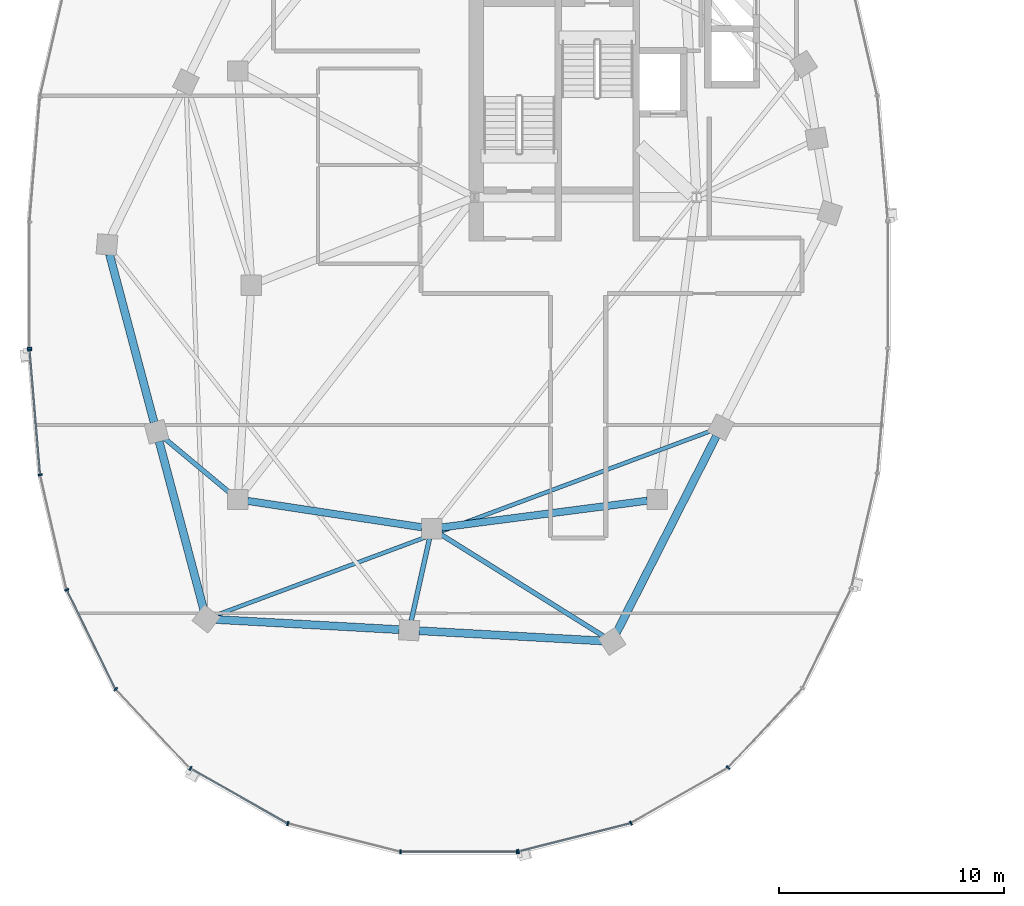
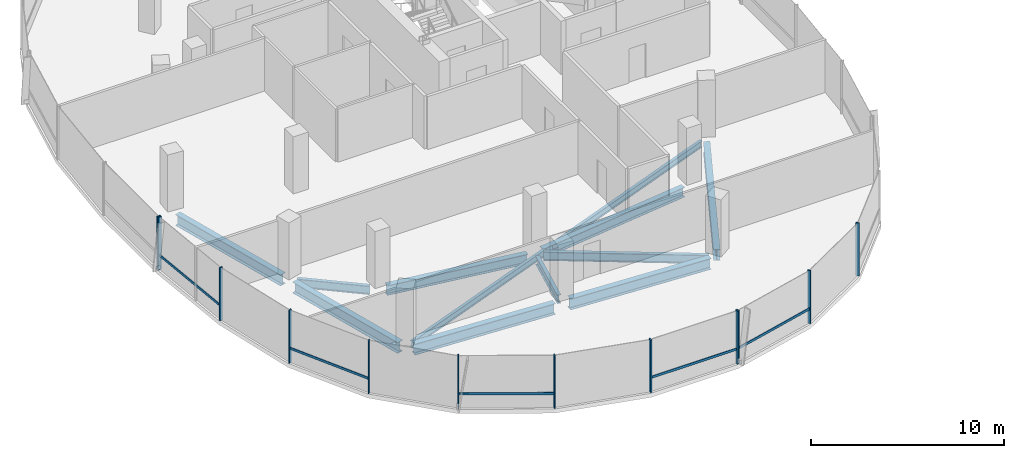
# One storey, part 3 of 25: 17 members, 11 beams, 3 elements without a shape of their own.
"""IFC4 building model written with IfcOpenShell, lengths in metres."""

from ifc_helpers import new_model, si_unit, direction, frame, origin, origin_2d, place, context, subcontext, project, spatial, rectangle, i_section, extrude, material, material_profile, profile_set, type_object, element, aggregate, save


model = new_model("IFC4")

# Units and contexts
model_context = context("Model", 3, precision=1e-05, world=origin(), true_north=direction((0.0, 1.0)))
body_context = subcontext(model_context, "Body", "Model", "MODEL_VIEW")
ifc_project = project(units=[si_unit("LENGTHUNIT", "METRE"), si_unit("AREAUNIT", "SQUARE_METRE"), si_unit("VOLUMEUNIT", "CUBIC_METRE"), si_unit("PLANEANGLEUNIT", "RADIAN"), si_unit("MASSUNIT", "GRAM", prefix="KILO"), si_unit("THERMODYNAMICTEMPERATUREUNIT", "KELVIN"), si_unit("POWERUNIT", "WATT")], contexts=[model_context])

# Site, building, storey
site_placement = place(None, origin())
site = spatial("IfcSite", under=ifc_project, at=site_placement, CompositionType="ELEMENT")
building_placement = place(site_placement, origin())
building = spatial("IfcBuilding", under=site, at=building_placement, Name="Cundina Bronze Exchange", CompositionType="ELEMENT")
storey_placement = place(building_placement, frame((0.0, 0.0, 220.60009765625)))
storey = spatial("IfcBuildingStorey", under=building, at=storey_placement, Name="L58", CompositionType="ELEMENT", Elevation=220.60009765625)

# Beams
ifc_material_1 = material(Name="Steel ASTM A992 Grade 50", Category="steel")
ifc_material_profile_1 = material_profile(ifc_material_1, i_section(OverallWidth=0.2119140625, OverallDepth=0.5439453125, WebThickness=0.01318359375, FlangeThickness=0.021240234375, FilletRadius=0.013916015625, at=origin_2d()), Name="W21X83", Category="steel")
ifc_profile_set_1 = profile_set([ifc_material_profile_1], Name="Steel ASTM A992 Grade 50")
beam_type_1 = type_object("IfcBeamType", Name="BM-FLR-W21A", PredefinedType="BEAM", material=ifc_profile_set_1)
beam_1_placement = place(storey_placement, frame((-42.136474609375, -9.219482421875, -0.531982421875), z_axis=(-0.768247540987, 0.640152884683, 0.0), x_axis=(-0.640152884683, -0.768247540987, 0.0)))
element("IfcBeam", 1, at=beam_1_placement, inside=storey, type_object=beam_type_1, Name="L58 Leg W Radial Floor Beam 09", PredefinedType="BEAM", context=body_context, shape_type="SweptSolid", body=[
    extrude(i_section(OverallWidth=0.2119140625, OverallDepth=0.5439453125, WebThickness=0.01318359375, FlangeThickness=0.021240234375, FilletRadius=0.013916015625, at=origin_2d()), origin(), (0.0, 0.0, 1.0), 3.81005859375),
])
beam_2_placement = place(storey_placement, frame((-33.294921875, -11.2275390625, -0.531982421875), z_axis=(-0.216958151571, -0.976180905605, 0.0), x_axis=(0.976180905605, -0.216958151571, 0.0)))
element("IfcBeam", 2, at=beam_2_placement, inside=storey, type_object=beam_type_1, Name="L58 Leg W Radial Floor Beam 11", PredefinedType="BEAM", context=body_context, shape_type="SweptSolid", body=[
    extrude(i_section(OverallWidth=0.2119140625, OverallDepth=0.5439453125, WebThickness=0.01318359375, FlangeThickness=0.021240234375, FilletRadius=0.013916015625, at=origin_2d()), origin(), (0.0, 0.0, 1.0), 3.733642578125),
])
beam_3_placement = place(storey_placement, frame((-32.82861328125, -11.031982421875, -0.531982421875), z_axis=(0.847995098703, -0.530004068452, 0.0), x_axis=(0.530004068452, 0.847995098703, 0.0)))
element("IfcBeam", 3, at=beam_3_placement, inside=storey, type_object=beam_type_1, Name="L58 Leg W Radial Floor Beam 12", PredefinedType="BEAM", context=body_context, shape_type="SweptSolid", body=[
    extrude(i_section(OverallWidth=0.2119140625, OverallDepth=0.5439453125, WebThickness=0.01318359375, FlangeThickness=0.021240234375, FilletRadius=0.013916015625, at=origin_2d()), origin(), (0.0, 0.0, 1.0), 8.55810546875),
])
ifc_material_profile_2 = material_profile(ifc_material_1, i_section(OverallWidth=0.178955078125, OverallDepth=0.409912109375, WebThickness=0.0087890625, FlangeThickness=0.014404296875, FilletRadius=0.010986328125, at=origin_2d()), Name="W16X45", Category="steel")
ifc_profile_set_2 = profile_set([ifc_material_profile_2], Name="Steel ASTM A992 Grade 50")
beam_type_2 = type_object("IfcBeamType", Name="BM-JST-W16", PredefinedType="JOIST", material=ifc_profile_set_2)
beam_4_placement = place(storey_placement, frame((-42.78955078125, -14.647216796875, -0.465087890625), z_axis=(0.937127927239, 0.348986028358, 0.0), x_axis=(-0.348986028358, 0.937127927239, 0.0)))
element("IfcBeam", 4, at=beam_4_placement, inside=storey, type_object=beam_type_2, Name="L58 Leg W Lobe Floor Joist 10-13", PredefinedType="JOIST", context=body_context, shape_type="SweptSolid", body=[
    extrude(i_section(OverallWidth=0.178955078125, OverallDepth=0.409912109375, WebThickness=0.0087890625, FlangeThickness=0.014404296875, FilletRadius=0.010986328125, at=origin_2d()), origin(), (0.0, 0.0, 1.0), 23.48046875),
])
ifc_material_profile_3 = material_profile(ifc_material_1, i_section(OverallWidth=0.324951171875, OverallDepth=0.615966796875, WebThickness=0.013916015625, FlangeThickness=0.021484375, FilletRadius=0.01611328125, at=origin_2d()), Name="W24X117", Category="steel")
ifc_profile_set_3 = profile_set([ifc_material_profile_3], Name="Steel ASTM A992 Grade 50")
beam_type_3 = type_object("IfcBeamType", Name="BM-RING-W24", PredefinedType="USERDEFINED", material=ifc_profile_set_3)
beam_5_placement = place(storey_placement, frame((-41.366943359375, -9.5654296875, -0.568115234375), z_axis=(0.988764903598, -0.149478979839, 0.0), x_axis=(0.149478979839, 0.988764903598, 0.0)))
element("IfcBeam", 5, at=beam_5_placement, inside=storey, type_object=beam_type_3, Name="L58 W Inner Structural Ring Girder 05", ObjectType="GIRDER", PredefinedType="USERDEFINED", context=body_context, shape_type="SweptSolid", body=[
    extrude(i_section(OverallWidth=0.324951171875, OverallDepth=0.615966796875, WebThickness=0.013916015625, FlangeThickness=0.021484375, FilletRadius=0.01611328125, at=origin_2d()), origin(), (0.0, 0.0, 1.0), 7.82177734375),
])
beam_6_placement = place(storey_placement, frame((-32.765625, -10.743408203125, -0.568115234375), z_axis=(0.991656498582, 0.128908451316, 0.0), x_axis=(-0.128908451316, 0.991656498582, 0.0)))
element("IfcBeam", 6, at=beam_6_placement, inside=storey, type_object=beam_type_3, Name="L58 W Inner Structural Ring Girder 06", ObjectType="GIRDER", PredefinedType="USERDEFINED", context=body_context, shape_type="SweptSolid", body=[
    extrude(i_section(OverallWidth=0.324951171875, OverallDepth=0.615966796875, WebThickness=0.013916015625, FlangeThickness=0.021484375, FilletRadius=0.01611328125, at=origin_2d()), origin(), (0.0, 0.0, 1.0), 9.208251953125),
])
ifc_material_profile_4 = material_profile(ifc_material_1, i_section(OverallWidth=0.35498046875, OverallDepth=0.695068359375, WebThickness=0.015380859375, FlangeThickness=0.02490234375, FilletRadius=0.01806640625, at=origin_2d()), Name="W27X146", Category="steel")
ifc_profile_set_4 = profile_set([ifc_material_profile_4], Name="Steel ASTM A992 Grade 50")
beam_type_4 = type_object("IfcBeamType", Name="BM-RING-W27", PredefinedType="USERDEFINED", material=ifc_profile_set_4)
for number, where, z_axis, x_axis, name in (
    (7, (-47.48779296875, 1.376708984375, -0.607666015625), (0.256211934474, -0.966620631185, 0.0), (0.966620631185, 0.256211934474, 0.0), "L58 W Perimeter Ring Girder 08"),
    (8, (-45.287841796875, -6.92333984375, -0.607666015625), (0.256211934474, -0.966620631185, 0.0), (0.966620631185, 0.256211934474, 0.0), "L58 W Perimeter Ring Girder 09"),
):
    element("IfcBeam", number, at=place(storey_placement, frame(where, z_axis=z_axis, x_axis=x_axis)), inside=storey, type_object=beam_type_4, Name=name, ObjectType="GIRDER", PredefinedType="USERDEFINED", context=body_context, shape_type="SweptSolid", body=[
        extrude(i_section(OverallWidth=0.35498046875, OverallDepth=0.695068359375, WebThickness=0.015380859375, FlangeThickness=0.02490234375, FilletRadius=0.01806640625, at=origin_2d()), origin(), (0.0, 0.0, 1.0), 7.710693359375),
    ])
for number, where, z_axis, x_axis, name in (
    (9, (-42.7626953125, -14.82421875, -0.607666015625), (0.998460353205, -0.055470019623, 0.0), (0.055470019623, 0.998460353205, 0.0), "L58 W Perimeter Ring Girder 10"),
    (10, (-33.7626953125, -15.32421875, -0.607666015625), (0.998460353205, -0.055470019623, 0.0), (0.055470019623, 0.998460353205, 0.0), "L58 W Perimeter Ring Girder 11"),
):
    element("IfcBeam", number, at=place(storey_placement, frame(where, z_axis=z_axis, x_axis=x_axis)), inside=storey, type_object=beam_type_4, Name=name, ObjectType="GIRDER", PredefinedType="USERDEFINED", context=body_context, shape_type="SweptSolid", body=[
        extrude(i_section(OverallWidth=0.35498046875, OverallDepth=0.695068359375, WebThickness=0.015380859375, FlangeThickness=0.02490234375, FilletRadius=0.01806640625, at=origin_2d()), origin(), (0.0, 0.0, 1.0), 8.137939453125),
    ])
beam_7_placement = place(storey_placement, frame((-25.001708984375, -15.409423828125, -0.607666015625), z_axis=(0.452846871434, 0.891588308039, 0.0), x_axis=(-0.891588308039, 0.452846871434, 0.0)))
element("IfcBeam", 11, at=beam_7_placement, inside=storey, type_object=beam_type_4, Name="L58 W Perimeter Ring Girder 12", ObjectType="GIRDER", PredefinedType="USERDEFINED", context=body_context, shape_type="SweptSolid", body=[
    extrude(i_section(OverallWidth=0.35498046875, OverallDepth=0.695068359375, WebThickness=0.015380859375, FlangeThickness=0.02490234375, FilletRadius=0.01806640625, at=origin_2d()), origin(), (0.0, 0.0, 1.0), 9.779052734375),
])

# Curtain wall, member
ifc_material_2 = material(Name="Anodised Bronze Aluminium 6063-T6", Category="aluminium")
curtain_wall_type = type_object("IfcCurtainWallType", Name="CWS-UPP-OFF", PredefinedType="NOTDEFINED", material=ifc_material_2)
curtain_wall_1_placement = place(storey_placement, origin())
curtain_wall_1 = element("IfcCurtainWall", 12, at=curtain_wall_1_placement, inside=storey, type_object=curtain_wall_type, Name="L58 CW-05 Curtain Wall Run CWR-L58-W2", PredefinedType="NOTDEFINED")
ifc_material_profile_5 = material_profile(ifc_material_2, rectangle(XDim=0.070068359375, YDim=0.18994140625, at=origin_2d()), Name="AL70X190", Category="aluminium")
ifc_profile_set_5 = profile_set([ifc_material_profile_5], Name="Anodised Bronze Aluminium 6063-T6")
member_type_1 = type_object("IfcMemberType", Name="CWM-MUL-190", PredefinedType="MULLION", material=ifc_profile_set_5)
member_1_placement = place(storey_placement, frame((-51.033935546875, -2.794921875, 0.0), z_axis=(0.0, 0.0, 1.0), x_axis=(0.0, -1.0, 0.0)))
member_1 = element("IfcMember", 13, at=member_1_placement, type_object=member_type_1, Name="CW-05 End Mullion", PredefinedType="MULLION", context=body_context, shape_type="SweptSolid", body=[
    extrude(rectangle(XDim=0.070068359375, YDim=0.18994140625, at=origin_2d()), origin(), (0.0, 0.0, 1.0), 3.33984375),
])
aggregate(curtain_wall_1, [member_1])

# Curtain wall, members
curtain_wall_2_placement = place(storey_placement, origin())
curtain_wall_2 = element("IfcCurtainWall", 14, at=curtain_wall_2_placement, inside=storey, type_object=curtain_wall_type, Name="L58 CW-05 Curtain Wall Run CWR-L58-W3", PredefinedType="NOTDEFINED")
member_2_placement = place(storey_placement, frame((-51.0302734375, -2.88330078125, 0.0), z_axis=(0.0, 0.0, 1.0), x_axis=(0.083677843332, -0.99649285925, 0.0)))
member_2 = element("IfcMember", 15, at=member_2_placement, type_object=member_type_1, Name="CW-05 Mullion 1", PredefinedType="MULLION", context=body_context, shape_type="SweptSolid", body=[
    extrude(rectangle(XDim=0.070068359375, YDim=0.18994140625, at=origin_2d()), origin(), (0.0, 0.0, 1.0), 3.33984375),
])
member_3_placement = place(storey_placement, frame((-50.56005859375, -8.4111328125, 0.0), z_axis=(0.0, 0.0, 1.0), x_axis=(0.223250116011, -0.974761194191, 0.0)))
member_3 = element("IfcMember", 16, at=member_3_placement, type_object=member_type_1, Name="CW-05 Mullion 2", PredefinedType="MULLION", context=body_context, shape_type="SweptSolid", body=[
    extrude(rectangle(XDim=0.070068359375, YDim=0.18994140625, at=origin_2d()), origin(), (0.0, 0.0, 1.0), 3.33984375),
])
member_4_placement = place(storey_placement, frame((-49.38427734375, -13.50732421875, 0.0), z_axis=(0.0, 0.0, 1.0), x_axis=(0.440566004113, -0.897720221461, 0.0)))
member_4 = element("IfcMember", 17, at=member_4_placement, type_object=member_type_1, Name="CW-05 Mullion 3", PredefinedType="MULLION", context=body_context, shape_type="SweptSolid", body=[
    extrude(rectangle(XDim=0.070068359375, YDim=0.18994140625, at=origin_2d()), origin(), (0.0, 0.0, 1.0), 3.33984375),
])
member_5_placement = place(storey_placement, frame((-47.209716796875, -17.91796875, 0.0), z_axis=(0.0, 0.0, 1.0), x_axis=(0.684292606175, -0.729207535023, 0.0)))
member_5 = element("IfcMember", 18, at=member_5_placement, type_object=member_type_1, Name="CW-05 Mullion 4", PredefinedType="MULLION", context=body_context, shape_type="SweptSolid", body=[
    extrude(rectangle(XDim=0.070068359375, YDim=0.18994140625, at=origin_2d()), origin(), (0.0, 0.0, 1.0), 3.33984375),
])
member_6_placement = place(storey_placement, frame((-43.899658203125, -21.43115234375, 0.0), z_axis=(0.0, 0.0, 1.0), x_axis=(0.86958112538, -0.493790103568, 0.0)))
member_6 = element("IfcMember", 19, at=member_6_placement, type_object=member_type_1, Name="CW-05 Mullion 5", PredefinedType="MULLION", context=body_context, shape_type="SweptSolid", body=[
    extrude(rectangle(XDim=0.070068359375, YDim=0.18994140625, at=origin_2d()), origin(), (0.0, 0.0, 1.0), 3.33984375),
])
member_7_placement = place(storey_placement, frame((-39.577392578125, -23.87548828125, 0.0), z_axis=(0.0, 0.0, 1.0), x_axis=(0.969744325821, -0.244122802168, 0.0)))
member_7 = element("IfcMember", 20, at=member_7_placement, type_object=member_type_1, Name="CW-05 Mullion 6", PredefinedType="MULLION", context=body_context, shape_type="SweptSolid", body=[
    extrude(rectangle(XDim=0.070068359375, YDim=0.18994140625, at=origin_2d()), origin(), (0.0, 0.0, 1.0), 3.33984375),
])
member_8_placement = place(storey_placement, frame((-34.580078125, -25.125, 0.0), z_axis=(0.0, 0.0, 1.0), x_axis=(1.0, 0.0, 0.0)))
member_8 = element("IfcMember", 21, at=member_8_placement, type_object=member_type_1, Name="CW-05 Mullion 7", PredefinedType="MULLION", context=body_context, shape_type="SweptSolid", body=[
    extrude(rectangle(XDim=0.070068359375, YDim=0.18994140625, at=origin_2d()), origin(), (0.0, 0.0, 1.0), 3.33984375),
])
member_9_placement = place(storey_placement, frame((-29.419921875, -25.125, 0.0), z_axis=(0.0, 0.0, 1.0), x_axis=(1.0, 0.0, 0.0)))
member_9 = element("IfcMember", 22, at=member_9_placement, type_object=member_type_1, Name="CW-05 End Mullion", PredefinedType="MULLION", context=body_context, shape_type="SweptSolid", body=[
    extrude(rectangle(XDim=0.070068359375, YDim=0.18994140625, at=origin_2d()), origin(), (0.0, 0.0, 1.0), 3.33984375),
])

curtain_wall_3_placement = place(storey_placement, origin())
curtain_wall_3 = element("IfcCurtainWall", 23, at=curtain_wall_3_placement, inside=storey, type_object=curtain_wall_type, Name="L58 CW-05 Curtain Wall Run CWR-L58-W4", PredefinedType="NOTDEFINED")
member_10_placement = place(storey_placement, frame((-29.3515625, -25.116455078125, 0.0), z_axis=(0.0, 0.0, 1.0), x_axis=(0.969744325821, 0.244122802168, 0.0)))
member_10 = element("IfcMember", 24, at=member_10_placement, type_object=member_type_1, Name="CW-05 Mullion 1", PredefinedType="MULLION", context=body_context, shape_type="SweptSolid", body=[
    extrude(rectangle(XDim=0.070068359375, YDim=0.18994140625, at=origin_2d()), origin(), (0.0, 0.0, 1.0), 3.33984375),
])
member_11_placement = place(storey_placement, frame((-24.361083984375, -23.850830078125, 0.0), z_axis=(0.0, 0.0, 1.0), x_axis=(0.86958112538, 0.493790103568, 0.0)))
member_11 = element("IfcMember", 25, at=member_11_placement, type_object=member_type_1, Name="CW-05 Mullion 2", PredefinedType="MULLION", context=body_context, shape_type="SweptSolid", body=[
    extrude(rectangle(XDim=0.070068359375, YDim=0.18994140625, at=origin_2d()), origin(), (0.0, 0.0, 1.0), 3.33984375),
])
member_12_placement = place(storey_placement, frame((-20.05126953125, -21.392578125, 0.0), z_axis=(0.0, 0.0, 1.0), x_axis=(0.684292606175, 0.729207535023, 0.0)))
member_12 = element("IfcMember", 26, at=member_12_placement, type_object=member_type_1, Name="CW-05 Mullion 3", PredefinedType="MULLION", context=body_context, shape_type="SweptSolid", body=[
    extrude(rectangle(XDim=0.070068359375, YDim=0.18994140625, at=origin_2d()), origin(), (0.0, 0.0, 1.0), 3.33984375),
])

# Member
ifc_material_profile_6 = material_profile(ifc_material_2, rectangle(XDim=0.06494140625, YDim=0.14990234375, at=origin_2d()), Name="AL65X150", Category="aluminium")
ifc_profile_set_6 = profile_set([ifc_material_profile_6], Name="Anodised Bronze Aluminium 6063-T6")
member_type_2 = type_object("IfcMemberType", Name="CWM-TRN-150", PredefinedType="USERDEFINED", material=ifc_profile_set_6)
member_13_placement = place(storey_placement, frame((-51.027099609375, -2.921630859375, 0.919921875), z_axis=(0.083740331158, -0.996487610027, 0.0), x_axis=(0.996487610027, 0.083740331158, 0.0)))
member_13 = element("IfcMember", 27, at=member_13_placement, type_object=member_type_2, Name="CW-05 Spandrel Transom 1", ObjectType="TRANSOM", PredefinedType="USERDEFINED", context=body_context, shape_type="SweptSolid", body=[
    extrude(rectangle(XDim=0.06494140625, YDim=0.14990234375, at=origin_2d()), origin(), (0.0, 0.0, 1.0), 5.466552734375),
])

member_14_placement = place(storey_placement, frame((-49.3671875, -13.5419921875, 0.919921875), z_axis=(0.440483110889, -0.897760897467, 0.0), x_axis=(0.897760897467, 0.440483110889, 0.0)))
member_14 = element("IfcMember", 28, at=member_14_placement, type_object=member_type_2, Name="CW-05 Spandrel Transom 3", ObjectType="TRANSOM", PredefinedType="USERDEFINED", context=body_context, shape_type="SweptSolid", body=[
    extrude(rectangle(XDim=0.06494140625, YDim=0.14990234375, at=origin_2d()), origin(), (0.0, 0.0, 1.0), 4.855224609375),
])

member_15_placement = place(storey_placement, frame((-43.8662109375, -21.4501953125, 0.919921875), z_axis=(0.869573748083, -0.493803095013, 0.0), x_axis=(0.493803095013, 0.869573748083, 0.0)))
member_15 = element("IfcMember", 29, at=member_15_placement, type_object=member_type_2, Name="CW-05 Spandrel Transom 5", ObjectType="TRANSOM", PredefinedType="USERDEFINED", context=body_context, shape_type="SweptSolid", body=[
    extrude(rectangle(XDim=0.06494140625, YDim=0.14990234375, at=origin_2d()), origin(), (0.0, 0.0, 1.0), 4.900146484375),
])

member_16_placement = place(storey_placement, frame((-34.54150390625, -25.125, 0.919921875), z_axis=(1.0, 0.0, 0.0), x_axis=(0.0, 1.0, 0.0)))
member_16 = element("IfcMember", 30, at=member_16_placement, type_object=member_type_2, Name="CW-05 Spandrel Transom 7", ObjectType="TRANSOM", PredefinedType="USERDEFINED", context=body_context, shape_type="SweptSolid", body=[
    extrude(rectangle(XDim=0.06494140625, YDim=0.14990234375, at=origin_2d()), origin(), (0.0, 0.0, 1.0), 5.0830078125),
])

aggregate(curtain_wall_2, [member_2, member_13, member_3, member_4, member_14, member_5, member_6, member_15, member_7, member_8, member_9, member_16])

member_17_placement = place(storey_placement, frame((-29.314208984375, -25.107177734375, 0.919921875), z_axis=(0.969725738797, 0.244196624699, 0.0), x_axis=(-0.244196624699, 0.969725738797, 0.0)))
member_17 = element("IfcMember", 31, at=member_17_placement, type_object=member_type_2, Name="CW-05 Spandrel Transom 1", ObjectType="TRANSOM", PredefinedType="USERDEFINED", context=body_context, shape_type="SweptSolid", body=[
    extrude(rectangle(XDim=0.06494140625, YDim=0.14990234375, at=origin_2d()), origin(), (0.0, 0.0, 1.0), 5.082763671875),
])

aggregate(curtain_wall_3, [member_10, member_17, member_11, member_12])

save(model, "model.ifc")
